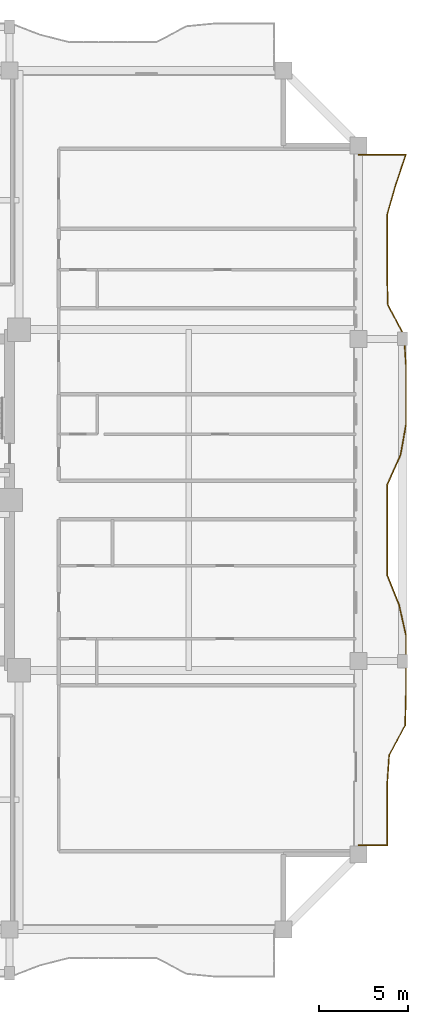
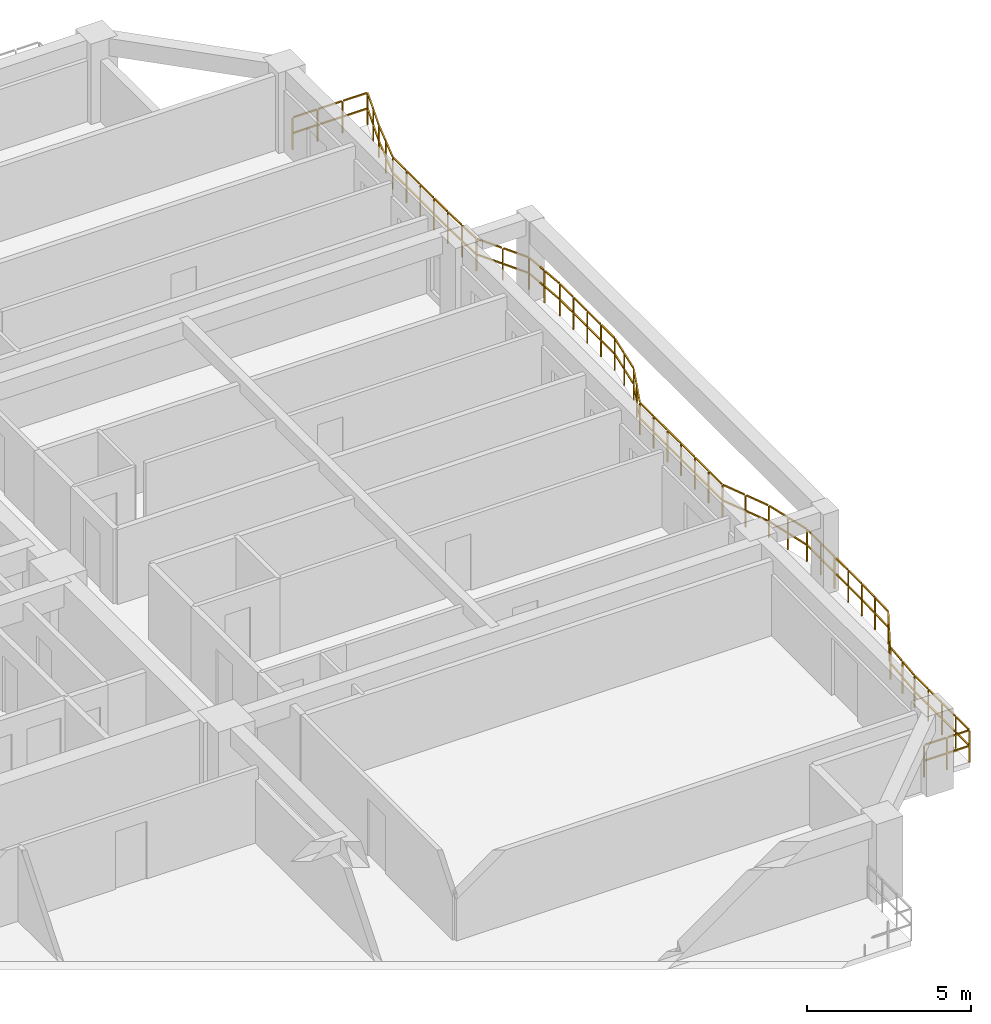
# One storey, part 12 of 13: 1 railing.
"""IFC4 building model written with IfcOpenShell, lengths in metres."""

from ifc_helpers import new_model, si_unit, direction, frame, origin, origin_2d, place, context, subcontext, project, spatial, rectangle, extrude, material, type_object, element, save


model = new_model("IFC4")

# Units and contexts
model_context = context("Model", 3, precision=1e-05, world=origin(), true_north=direction((0.0, 1.0)))
body_context = subcontext(model_context, "Body", "Model", "MODEL_VIEW")
ifc_project = project(units=[si_unit("LENGTHUNIT", "METRE"), si_unit("AREAUNIT", "SQUARE_METRE"), si_unit("VOLUMEUNIT", "CUBIC_METRE"), si_unit("PLANEANGLEUNIT", "RADIAN"), si_unit("MASSUNIT", "GRAM", prefix="KILO")], contexts=[model_context])

# Site, building, storey
site_placement = place(None, origin())
site = spatial("IfcSite", under=ifc_project, at=site_placement, CompositionType="ELEMENT")
building_placement = place(site_placement, origin())
building = spatial("IfcBuilding", under=site, at=building_placement, Name="Saelheon Loggia Tower", CompositionType="ELEMENT")
storey_placement = place(building_placement, frame((0.0, 0.0, 129.75)))
storey = spatial("IfcBuildingStorey", under=building, at=storey_placement, Name="L41", CompositionType="ELEMENT", Elevation=129.75)

# Railing
ifc_material = material(Name="Architectural Precast Concrete and Laminated Glass Guard", Category="concrete")
railing_type = type_object("IfcRailingType", Name="Guard_Loggia_RL_LOG", PredefinedType="BALUSTRADE", material=ifc_material)
railing_placement = place(storey_placement, frame((64.0, 7.699951171875, 0.0)))
element("IfcRailing", 1, at=railing_placement, inside=storey, type_object=railing_type, Name="L41 East Loggia Balustrade", PredefinedType="BALUSTRADE", context=body_context, shape_type="SweptSolid", body=[
    extrude(rectangle(XDim=0.048095703125, YDim=0.048095703125, at=origin_2d()), frame((0.033203125, 0.0, 1.19580078125), z_axis=(1.0, 0.0, 0.0), x_axis=(0.0, 1.0, 0.0)), (0.0, 0.0, 1.0), 0.733642578125),
    extrude(rectangle(XDim=0.048095703125, YDim=0.048095703125, at=origin_2d()), frame((0.033203125, 0.0, 0.60986328125), z_axis=(1.0, 0.0, 0.0), x_axis=(0.0, 1.0, 0.0)), (0.0, 0.0, 1.0), 0.733642578125),
    extrude(rectangle(XDim=0.048095703125, YDim=0.048095703125, at=origin_2d()), frame((0.833251953125, 0.0, 1.19580078125), z_axis=(1.0, 0.0, 0.0), x_axis=(0.0, 1.0, 0.0)), (0.0, 0.0, 1.0), 0.733642578125),
    extrude(rectangle(XDim=0.048095703125, YDim=0.048095703125, at=origin_2d()), frame((0.833251953125, 0.0, 0.60986328125), z_axis=(1.0, 0.0, 0.0), x_axis=(0.0, 1.0, 0.0)), (0.0, 0.0, 1.0), 0.733642578125),
    extrude(rectangle(XDim=0.048095703125, YDim=0.048095703125, at=origin_2d()), frame((1.60009765625, 0.033203125, 1.19580078125), z_axis=(0.0, 1.0, 0.0), x_axis=(-1.0, 0.0, 0.0)), (0.0, 0.0, 1.0), 0.772705078125),
    extrude(rectangle(XDim=0.048095703125, YDim=0.048095703125, at=origin_2d()), frame((1.60009765625, 0.033203125, 0.60986328125), z_axis=(0.0, 1.0, 0.0), x_axis=(-1.0, 0.0, 0.0)), (0.0, 0.0, 1.0), 0.772705078125),
    extrude(rectangle(XDim=0.048095703125, YDim=0.048095703125, at=origin_2d()), frame((1.60009765625, 0.87255859375, 1.19580078125), z_axis=(0.0, 1.0, 0.0), x_axis=(-1.0, 0.0, 0.0)), (0.0, 0.0, 1.0), 0.772705078125),
    extrude(rectangle(XDim=0.048095703125, YDim=0.048095703125, at=origin_2d()), frame((1.60009765625, 0.87255859375, 0.60986328125), z_axis=(0.0, 1.0, 0.0), x_axis=(-1.0, 0.0, 0.0)), (0.0, 0.0, 1.0), 0.772705078125),
    extrude(rectangle(XDim=0.048095703125, YDim=0.048095703125, at=origin_2d()), frame((1.60009765625, 1.711669921875, 1.19580078125), z_axis=(0.0, 1.0, 0.0), x_axis=(-1.0, 0.0, 0.0)), (0.0, 0.0, 1.0), 0.7724609375),
    extrude(rectangle(XDim=0.048095703125, YDim=0.048095703125, at=origin_2d()), frame((1.60009765625, 1.711669921875, 0.60986328125), z_axis=(0.0, 1.0, 0.0), x_axis=(-1.0, 0.0, 0.0)), (0.0, 0.0, 1.0), 0.7724609375),
    extrude(rectangle(XDim=0.048095703125, YDim=0.048095703125, at=origin_2d()), frame((1.60009765625, 2.55078125, 1.19580078125), z_axis=(0.0, 1.0, 0.0), x_axis=(-1.0, 0.0, 0.0)), (0.0, 0.0, 1.0), 0.7724609375),
    extrude(rectangle(XDim=0.048095703125, YDim=0.048095703125, at=origin_2d()), frame((1.60009765625, 2.55078125, 0.60986328125), z_axis=(0.0, 1.0, 0.0), x_axis=(-1.0, 0.0, 0.0)), (0.0, 0.0, 1.0), 0.7724609375),
    extrude(rectangle(XDim=0.048095703125, YDim=0.048095703125, at=origin_2d()), frame((1.602294921875, 3.3896484375, 1.19580078125), z_axis=(0.068059999537, 0.997681229884, 0.0), x_axis=(-0.997681229884, 0.068059999537, 0.0)), (0.0, 0.0, 1.0), 0.774658203125),
    extrude(rectangle(XDim=0.048095703125, YDim=0.048095703125, at=origin_2d()), frame((1.602294921875, 3.3896484375, 0.60986328125), z_axis=(0.068059999537, 0.997681229884, 0.0), x_axis=(-0.997681229884, 0.068059999537, 0.0)), (0.0, 0.0, 1.0), 0.774658203125),
    extrude(rectangle(XDim=0.048095703125, YDim=0.048095703125, at=origin_2d()), frame((1.65966796875, 4.228759765625, 1.19580078125), z_axis=(0.068059999537, 0.997681229884, 0.0), x_axis=(-0.997681229884, 0.068059999537, 0.0)), (0.0, 0.0, 1.0), 0.774658203125),
    extrude(rectangle(XDim=0.048095703125, YDim=0.048095703125, at=origin_2d()), frame((1.65966796875, 4.228759765625, 0.60986328125), z_axis=(0.068059999537, 0.997681229884, 0.0), x_axis=(-0.997681229884, 0.068059999537, 0.0)), (0.0, 0.0, 1.0), 0.774658203125),
    extrude(rectangle(XDim=0.048095703125, YDim=0.048095703125, at=origin_2d()), frame((1.730224609375, 5.064208984375, 1.19580078125), z_axis=(0.4706748388, 0.882306747181, 0.0), x_axis=(-0.882306747181, 0.4706748388, 0.0)), (0.0, 0.0, 1.0), 0.884521484375),
    extrude(rectangle(XDim=0.048095703125, YDim=0.048095703125, at=origin_2d()), frame((1.730224609375, 5.064208984375, 0.60986328125), z_axis=(0.4706748388, 0.882306747181, 0.0), x_axis=(-0.882306747181, 0.4706748388, 0.0)), (0.0, 0.0, 1.0), 0.884521484375),
    extrude(rectangle(XDim=0.048095703125, YDim=0.048095703125, at=origin_2d()), frame((2.177978515625, 5.9033203125, 1.19580078125), z_axis=(0.4706748388, 0.882306747181, 0.0), x_axis=(-0.882306747181, 0.4706748388, 0.0)), (0.0, 0.0, 1.0), 0.884521484375),
    extrude(rectangle(XDim=0.048095703125, YDim=0.048095703125, at=origin_2d()), frame((2.177978515625, 5.9033203125, 0.60986328125), z_axis=(0.4706748388, 0.882306747181, 0.0), x_axis=(-0.882306747181, 0.4706748388, 0.0)), (0.0, 0.0, 1.0), 0.884521484375),
    extrude(rectangle(XDim=0.048095703125, YDim=0.048095703125, at=origin_2d()), frame((2.610595703125, 6.746337890625, 1.19580078125), z_axis=(0.023851228559, 0.999715518983, 0.0), x_axis=(-0.999715518983, 0.023851228559, 0.0)), (0.0, 0.0, 1.0), 0.77294921875),
    extrude(rectangle(XDim=0.048095703125, YDim=0.048095703125, at=origin_2d()), frame((2.610595703125, 6.746337890625, 0.60986328125), z_axis=(0.023851228559, 0.999715518983, 0.0), x_axis=(-0.999715518983, 0.023851228559, 0.0)), (0.0, 0.0, 1.0), 0.77294921875),
    extrude(rectangle(XDim=0.048095703125, YDim=0.048095703125, at=origin_2d()), frame((2.630615234375, 7.58544921875, 1.19580078125), z_axis=(0.023851228559, 0.999715518983, 0.0), x_axis=(-0.999715518983, 0.023851228559, 0.0)), (0.0, 0.0, 1.0), 0.77294921875),
    extrude(rectangle(XDim=0.048095703125, YDim=0.048095703125, at=origin_2d()), frame((2.630615234375, 7.58544921875, 0.60986328125), z_axis=(0.023851228559, 0.999715518983, 0.0), x_axis=(-0.999715518983, 0.023851228559, 0.0)), (0.0, 0.0, 1.0), 0.77294921875),
    extrude(rectangle(XDim=0.048095703125, YDim=0.048095703125, at=origin_2d()), frame((2.64990234375, 8.424560546875, 1.19580078125), z_axis=(0.0, 1.0, 0.0), x_axis=(-1.0, 0.0, 0.0)), (0.0, 0.0, 1.0), 0.772705078125),
    extrude(rectangle(XDim=0.048095703125, YDim=0.048095703125, at=origin_2d()), frame((2.64990234375, 8.424560546875, 0.60986328125), z_axis=(0.0, 1.0, 0.0), x_axis=(-1.0, 0.0, 0.0)), (0.0, 0.0, 1.0), 0.772705078125),
    extrude(rectangle(XDim=0.048095703125, YDim=0.048095703125, at=origin_2d()), frame((2.64990234375, 9.263671875, 1.19580078125), z_axis=(0.0, 1.0, 0.0), x_axis=(-1.0, 0.0, 0.0)), (0.0, 0.0, 1.0), 0.772705078125),
    extrude(rectangle(XDim=0.048095703125, YDim=0.048095703125, at=origin_2d()), frame((2.64990234375, 9.263671875, 0.60986328125), z_axis=(0.0, 1.0, 0.0), x_axis=(-1.0, 0.0, 0.0)), (0.0, 0.0, 1.0), 0.772705078125),
    extrude(rectangle(XDim=0.048095703125, YDim=0.048095703125, at=origin_2d()), frame((2.64990234375, 10.102783203125, 1.19580078125), z_axis=(0.0, 1.0, 0.0), x_axis=(-1.0, 0.0, 0.0)), (0.0, 0.0, 1.0), 0.772705078125),
    extrude(rectangle(XDim=0.048095703125, YDim=0.048095703125, at=origin_2d()), frame((2.64990234375, 10.102783203125, 0.60986328125), z_axis=(0.0, 1.0, 0.0), x_axis=(-1.0, 0.0, 0.0)), (0.0, 0.0, 1.0), 0.772705078125),
    extrude(rectangle(XDim=0.048095703125, YDim=0.048095703125, at=origin_2d()), frame((2.64990234375, 10.94189453125, 1.19580078125), z_axis=(0.0, 1.0, 0.0), x_axis=(-1.0, 0.0, 0.0)), (0.0, 0.0, 1.0), 0.772705078125),
    extrude(rectangle(XDim=0.048095703125, YDim=0.048095703125, at=origin_2d()), frame((2.64990234375, 10.94189453125, 0.60986328125), z_axis=(0.0, 1.0, 0.0), x_axis=(-1.0, 0.0, 0.0)), (0.0, 0.0, 1.0), 0.772705078125),
    extrude(rectangle(XDim=0.048095703125, YDim=0.048095703125, at=origin_2d()), frame((2.642578125, 11.7802734375, 1.19580078125), z_axis=(-0.219934224099, 0.975514703667, 0.0), x_axis=(-0.975514703667, -0.219934224099, 0.0)), (0.0, 0.0, 1.0), 0.7939453125),
    extrude(rectangle(XDim=0.048095703125, YDim=0.048095703125, at=origin_2d()), frame((2.642578125, 11.7802734375, 0.60986328125), z_axis=(-0.219934224099, 0.975514703667, 0.0), x_axis=(-0.975514703667, -0.219934224099, 0.0)), (0.0, 0.0, 1.0), 0.7939453125),
    extrude(rectangle(XDim=0.048095703125, YDim=0.048095703125, at=origin_2d()), frame((2.453369140625, 12.619384765625, 1.19580078125), z_axis=(-0.219934224099, 0.975514703667, 0.0), x_axis=(-0.975514703667, -0.219934224099, 0.0)), (0.0, 0.0, 1.0), 0.7939453125),
    extrude(rectangle(XDim=0.048095703125, YDim=0.048095703125, at=origin_2d()), frame((2.453369140625, 12.619384765625, 0.60986328125), z_axis=(-0.219934224099, 0.975514703667, 0.0), x_axis=(-0.975514703667, -0.219934224099, 0.0)), (0.0, 0.0, 1.0), 0.7939453125),
    extrude(rectangle(XDim=0.048095703125, YDim=0.048095703125, at=origin_2d()), frame((2.259033203125, 13.45703125, 1.19580078125), z_axis=(-0.371483836575, 0.928439421375, 0.0), x_axis=(-0.928439421375, -0.371483836575, 0.0)), (0.0, 0.0, 1.0), 0.837158203125),
    extrude(rectangle(XDim=0.048095703125, YDim=0.048095703125, at=origin_2d()), frame((2.259033203125, 13.45703125, 0.60986328125), z_axis=(-0.371483836575, 0.928439421375, 0.0), x_axis=(-0.928439421375, -0.371483836575, 0.0)), (0.0, 0.0, 1.0), 0.837158203125),
    extrude(rectangle(XDim=0.048095703125, YDim=0.048095703125, at=origin_2d()), frame((1.92333984375, 14.296142578125, 1.19580078125), z_axis=(-0.371483836575, 0.928439421375, 0.0), x_axis=(-0.928439421375, -0.371483836575, 0.0)), (0.0, 0.0, 1.0), 0.837158203125),
    extrude(rectangle(XDim=0.048095703125, YDim=0.048095703125, at=origin_2d()), frame((1.92333984375, 14.296142578125, 0.60986328125), z_axis=(-0.371483836575, 0.928439421375, 0.0), x_axis=(-0.928439421375, -0.371483836575, 0.0)), (0.0, 0.0, 1.0), 0.837158203125),
    extrude(rectangle(XDim=0.048095703125, YDim=0.048095703125, at=origin_2d()), frame((1.60009765625, 15.137451171875, 1.19580078125), z_axis=(0.0, 1.0, 0.0), x_axis=(-1.0, 0.0, 0.0)), (0.0, 0.0, 1.0), 0.772705078125),
    extrude(rectangle(XDim=0.048095703125, YDim=0.048095703125, at=origin_2d()), frame((1.60009765625, 15.137451171875, 0.60986328125), z_axis=(0.0, 1.0, 0.0), x_axis=(-1.0, 0.0, 0.0)), (0.0, 0.0, 1.0), 0.772705078125),
    extrude(rectangle(XDim=0.048095703125, YDim=0.048095703125, at=origin_2d()), frame((1.60009765625, 15.976806640625, 1.19580078125), z_axis=(0.0, 1.0, 0.0), x_axis=(-1.0, 0.0, 0.0)), (0.0, 0.0, 1.0), 0.772705078125),
    extrude(rectangle(XDim=0.048095703125, YDim=0.048095703125, at=origin_2d()), frame((1.60009765625, 15.976806640625, 0.60986328125), z_axis=(0.0, 1.0, 0.0), x_axis=(-1.0, 0.0, 0.0)), (0.0, 0.0, 1.0), 0.772705078125),
    extrude(rectangle(XDim=0.048095703125, YDim=0.048095703125, at=origin_2d()), frame((1.60009765625, 16.81591796875, 1.19580078125), z_axis=(0.0, 1.0, 0.0), x_axis=(-1.0, 0.0, 0.0)), (0.0, 0.0, 1.0), 0.772705078125),
    extrude(rectangle(XDim=0.048095703125, YDim=0.048095703125, at=origin_2d()), frame((1.60009765625, 16.81591796875, 0.60986328125), z_axis=(0.0, 1.0, 0.0), x_axis=(-1.0, 0.0, 0.0)), (0.0, 0.0, 1.0), 0.772705078125),
    extrude(rectangle(XDim=0.048095703125, YDim=0.048095703125, at=origin_2d()), frame((1.60009765625, 17.655029296875, 1.19580078125), z_axis=(0.0, 1.0, 0.0), x_axis=(-1.0, 0.0, 0.0)), (0.0, 0.0, 1.0), 0.772705078125),
    extrude(rectangle(XDim=0.048095703125, YDim=0.048095703125, at=origin_2d()), frame((1.60009765625, 17.655029296875, 0.60986328125), z_axis=(0.0, 1.0, 0.0), x_axis=(-1.0, 0.0, 0.0)), (0.0, 0.0, 1.0), 0.772705078125),
    extrude(rectangle(XDim=0.048095703125, YDim=0.048095703125, at=origin_2d()), frame((1.60009765625, 18.494140625, 1.19580078125), z_axis=(0.0, 1.0, 0.0), x_axis=(-1.0, 0.0, 0.0)), (0.0, 0.0, 1.0), 0.772705078125),
    extrude(rectangle(XDim=0.048095703125, YDim=0.048095703125, at=origin_2d()), frame((1.60009765625, 18.494140625, 0.60986328125), z_axis=(0.0, 1.0, 0.0), x_axis=(-1.0, 0.0, 0.0)), (0.0, 0.0, 1.0), 0.772705078125),
    extrude(rectangle(XDim=0.048095703125, YDim=0.048095703125, at=origin_2d()), frame((1.60009765625, 19.333251953125, 1.19580078125), z_axis=(0.0, 1.0, 0.0), x_axis=(-1.0, 0.0, 0.0)), (0.0, 0.0, 1.0), 0.772705078125),
    extrude(rectangle(XDim=0.048095703125, YDim=0.048095703125, at=origin_2d()), frame((1.60009765625, 19.333251953125, 0.60986328125), z_axis=(0.0, 1.0, 0.0), x_axis=(-1.0, 0.0, 0.0)), (0.0, 0.0, 1.0), 0.772705078125),
    extrude(rectangle(XDim=0.048095703125, YDim=0.048095703125, at=origin_2d()), frame((1.613525390625, 20.16943359375, 1.19580078125), z_axis=(0.407567762137, 0.913174966404, 0.0), x_axis=(-0.913174966404, 0.407567762137, 0.0)), (0.0, 0.0, 1.0), 0.8525390625),
    extrude(rectangle(XDim=0.048095703125, YDim=0.048095703125, at=origin_2d()), frame((1.613525390625, 20.16943359375, 0.60986328125), z_axis=(0.407567762137, 0.913174966404, 0.0), x_axis=(-0.913174966404, 0.407567762137, 0.0)), (0.0, 0.0, 1.0), 0.8525390625),
    extrude(rectangle(XDim=0.048095703125, YDim=0.048095703125, at=origin_2d()), frame((1.988037109375, 21.008544921875, 1.19580078125), z_axis=(0.407567762137, 0.913174966404, 0.0), x_axis=(-0.913174966404, 0.407567762137, 0.0)), (0.0, 0.0, 1.0), 0.8525390625),
    extrude(rectangle(XDim=0.048095703125, YDim=0.048095703125, at=origin_2d()), frame((1.988037109375, 21.008544921875, 0.60986328125), z_axis=(0.407567762137, 0.913174966404, 0.0), x_axis=(-0.913174966404, 0.407567762137, 0.0)), (0.0, 0.0, 1.0), 0.8525390625),
    extrude(rectangle(XDim=0.048095703125, YDim=0.048095703125, at=origin_2d()), frame((2.35498046875, 21.85009765625, 1.19580078125), z_axis=(0.176390201741, 0.984320322217, 0.0), x_axis=(-0.984320322217, 0.176390201741, 0.0)), (0.0, 0.0, 1.0), 0.7861328125),
    extrude(rectangle(XDim=0.048095703125, YDim=0.048095703125, at=origin_2d()), frame((2.35498046875, 21.85009765625, 0.60986328125), z_axis=(0.176390201741, 0.984320322217, 0.0), x_axis=(-0.984320322217, 0.176390201741, 0.0)), (0.0, 0.0, 1.0), 0.7861328125),
    extrude(rectangle(XDim=0.048095703125, YDim=0.048095703125, at=origin_2d()), frame((2.50537109375, 22.689208984375, 1.19580078125), z_axis=(0.176390201741, 0.984320322217, 0.0), x_axis=(-0.984320322217, 0.176390201741, 0.0)), (0.0, 0.0, 1.0), 0.7861328125),
    extrude(rectangle(XDim=0.048095703125, YDim=0.048095703125, at=origin_2d()), frame((2.50537109375, 22.689208984375, 0.60986328125), z_axis=(0.176390201741, 0.984320322217, 0.0), x_axis=(-0.984320322217, 0.176390201741, 0.0)), (0.0, 0.0, 1.0), 0.7861328125),
    extrude(rectangle(XDim=0.048095703125, YDim=0.048095703125, at=origin_2d()), frame((2.64990234375, 23.529052734375, 1.19580078125), z_axis=(0.0, 1.0, 0.0), x_axis=(-1.0, 0.0, 0.0)), (0.0, 0.0, 1.0), 0.7724609375),
    extrude(rectangle(XDim=0.048095703125, YDim=0.048095703125, at=origin_2d()), frame((2.64990234375, 23.529052734375, 0.60986328125), z_axis=(0.0, 1.0, 0.0), x_axis=(-1.0, 0.0, 0.0)), (0.0, 0.0, 1.0), 0.7724609375),
    extrude(rectangle(XDim=0.048095703125, YDim=0.048095703125, at=origin_2d()), frame((2.64990234375, 24.3681640625, 1.19580078125), z_axis=(0.0, 1.0, 0.0), x_axis=(-1.0, 0.0, 0.0)), (0.0, 0.0, 1.0), 0.7724609375),
    extrude(rectangle(XDim=0.048095703125, YDim=0.048095703125, at=origin_2d()), frame((2.64990234375, 24.3681640625, 0.60986328125), z_axis=(0.0, 1.0, 0.0), x_axis=(-1.0, 0.0, 0.0)), (0.0, 0.0, 1.0), 0.7724609375),
    extrude(rectangle(XDim=0.048095703125, YDim=0.048095703125, at=origin_2d()), frame((2.64990234375, 25.20703125, 1.19580078125), z_axis=(0.0, 1.0, 0.0), x_axis=(-1.0, 0.0, 0.0)), (0.0, 0.0, 1.0), 0.772705078125),
    extrude(rectangle(XDim=0.048095703125, YDim=0.048095703125, at=origin_2d()), frame((2.64990234375, 25.20703125, 0.60986328125), z_axis=(0.0, 1.0, 0.0), x_axis=(-1.0, 0.0, 0.0)), (0.0, 0.0, 1.0), 0.772705078125),
    extrude(rectangle(XDim=0.048095703125, YDim=0.048095703125, at=origin_2d()), frame((2.64990234375, 26.04638671875, 1.19580078125), z_axis=(0.0, 1.0, 0.0), x_axis=(-1.0, 0.0, 0.0)), (0.0, 0.0, 1.0), 0.772705078125),
    extrude(rectangle(XDim=0.048095703125, YDim=0.048095703125, at=origin_2d()), frame((2.64990234375, 26.04638671875, 0.60986328125), z_axis=(0.0, 1.0, 0.0), x_axis=(-1.0, 0.0, 0.0)), (0.0, 0.0, 1.0), 0.772705078125),
    extrude(rectangle(XDim=0.048095703125, YDim=0.048095703125, at=origin_2d()), frame((2.647705078125, 26.885498046875, 1.19580078125), z_axis=(-0.06778091462, 0.997700229334, 0.0), x_axis=(-0.997700229334, -0.06778091462, 0.0)), (0.0, 0.0, 1.0), 0.774658203125),
    extrude(rectangle(XDim=0.048095703125, YDim=0.048095703125, at=origin_2d()), frame((2.647705078125, 26.885498046875, 0.60986328125), z_axis=(-0.06778091462, 0.997700229334, 0.0), x_axis=(-0.997700229334, -0.06778091462, 0.0)), (0.0, 0.0, 1.0), 0.774658203125),
    extrude(rectangle(XDim=0.048095703125, YDim=0.048095703125, at=origin_2d()), frame((2.590576171875, 27.724609375, 1.19580078125), z_axis=(-0.06778091462, 0.997700229334, 0.0), x_axis=(-0.997700229334, -0.06778091462, 0.0)), (0.0, 0.0, 1.0), 0.774658203125),
    extrude(rectangle(XDim=0.048095703125, YDim=0.048095703125, at=origin_2d()), frame((2.590576171875, 27.724609375, 0.60986328125), z_axis=(-0.06778091462, 0.997700229334, 0.0), x_axis=(-0.997700229334, -0.06778091462, 0.0)), (0.0, 0.0, 1.0), 0.774658203125),
    extrude(rectangle(XDim=0.048095703125, YDim=0.048095703125, at=origin_2d()), frame((2.520263671875, 28.559814453125, 1.19580078125), z_axis=(-0.470275016821, 0.882519919636, 0.0), x_axis=(-0.882519919636, -0.470275016821, 0.0)), (0.0, 0.0, 1.0), 0.88427734375),
    extrude(rectangle(XDim=0.048095703125, YDim=0.048095703125, at=origin_2d()), frame((2.520263671875, 28.559814453125, 0.60986328125), z_axis=(-0.470275016821, 0.882519919636, 0.0), x_axis=(-0.882519919636, -0.470275016821, 0.0)), (0.0, 0.0, 1.0), 0.88427734375),
    extrude(rectangle(XDim=0.048095703125, YDim=0.048095703125, at=origin_2d()), frame((2.072998046875, 29.39892578125, 1.19580078125), z_axis=(-0.470275016821, 0.882519919636, 0.0), x_axis=(-0.882519919636, -0.470275016821, 0.0)), (0.0, 0.0, 1.0), 0.88427734375),
    extrude(rectangle(XDim=0.048095703125, YDim=0.048095703125, at=origin_2d()), frame((2.072998046875, 29.39892578125, 0.60986328125), z_axis=(-0.470275016821, 0.882519919636, 0.0), x_axis=(-0.882519919636, -0.470275016821, 0.0)), (0.0, 0.0, 1.0), 0.88427734375),
    extrude(rectangle(XDim=0.048095703125, YDim=0.048095703125, at=origin_2d()), frame((1.640869140625, 30.241943359375, 1.19580078125), z_axis=(-0.024723310515, 0.999694332242, 0.0), x_axis=(-0.999694332242, -0.024723310515, 0.0)), (0.0, 0.0, 1.0), 0.77294921875),
    extrude(rectangle(XDim=0.048095703125, YDim=0.048095703125, at=origin_2d()), frame((1.640869140625, 30.241943359375, 0.60986328125), z_axis=(-0.024723310515, 0.999694332242, 0.0), x_axis=(-0.999694332242, -0.024723310515, 0.0)), (0.0, 0.0, 1.0), 0.77294921875),
    extrude(rectangle(XDim=0.048095703125, YDim=0.048095703125, at=origin_2d()), frame((1.6201171875, 31.0810546875, 1.19580078125), z_axis=(-0.024723310515, 0.999694332242, 0.0), x_axis=(-0.999694332242, -0.024723310515, 0.0)), (0.0, 0.0, 1.0), 0.77294921875),
    extrude(rectangle(XDim=0.048095703125, YDim=0.048095703125, at=origin_2d()), frame((1.6201171875, 31.0810546875, 0.60986328125), z_axis=(-0.024723310515, 0.999694332242, 0.0), x_axis=(-0.999694332242, -0.024723310515, 0.0)), (0.0, 0.0, 1.0), 0.77294921875),
    extrude(rectangle(XDim=0.048095703125, YDim=0.048095703125, at=origin_2d()), frame((1.60009765625, 31.920166015625, 1.19580078125), z_axis=(0.0, 1.0, 0.0), x_axis=(-1.0, 0.0, 0.0)), (0.0, 0.0, 1.0), 0.772705078125),
    extrude(rectangle(XDim=0.048095703125, YDim=0.048095703125, at=origin_2d()), frame((1.60009765625, 31.920166015625, 0.60986328125), z_axis=(0.0, 1.0, 0.0), x_axis=(-1.0, 0.0, 0.0)), (0.0, 0.0, 1.0), 0.772705078125),
    extrude(rectangle(XDim=0.048095703125, YDim=0.048095703125, at=origin_2d()), frame((1.60009765625, 32.75927734375, 1.19580078125), z_axis=(0.0, 1.0, 0.0), x_axis=(-1.0, 0.0, 0.0)), (0.0, 0.0, 1.0), 0.772705078125),
    extrude(rectangle(XDim=0.048095703125, YDim=0.048095703125, at=origin_2d()), frame((1.60009765625, 32.75927734375, 0.60986328125), z_axis=(0.0, 1.0, 0.0), x_axis=(-1.0, 0.0, 0.0)), (0.0, 0.0, 1.0), 0.772705078125),
    extrude(rectangle(XDim=0.048095703125, YDim=0.048095703125, at=origin_2d()), frame((1.60009765625, 33.598388671875, 1.19580078125), z_axis=(0.0, 1.0, 0.0), x_axis=(-1.0, 0.0, 0.0)), (0.0, 0.0, 1.0), 0.772705078125),
    extrude(rectangle(XDim=0.048095703125, YDim=0.048095703125, at=origin_2d()), frame((1.60009765625, 33.598388671875, 0.60986328125), z_axis=(0.0, 1.0, 0.0), x_axis=(-1.0, 0.0, 0.0)), (0.0, 0.0, 1.0), 0.772705078125),
    extrude(rectangle(XDim=0.048095703125, YDim=0.048095703125, at=origin_2d()), frame((1.60009765625, 34.437744140625, 1.19580078125), z_axis=(0.0, 1.0, 0.0), x_axis=(-1.0, 0.0, 0.0)), (0.0, 0.0, 1.0), 0.772705078125),
    extrude(rectangle(XDim=0.048095703125, YDim=0.048095703125, at=origin_2d()), frame((1.60009765625, 34.437744140625, 0.60986328125), z_axis=(0.0, 1.0, 0.0), x_axis=(-1.0, 0.0, 0.0)), (0.0, 0.0, 1.0), 0.772705078125),
    extrude(rectangle(XDim=0.048095703125, YDim=0.048095703125, at=origin_2d()), frame((1.609130859375, 35.275634765625, 1.19580078125), z_axis=(0.275146022747, 0.961402447556, 0.0), x_axis=(-0.961402447556, 0.275146022747, 0.0)), (0.0, 0.0, 1.0), 0.80615234375),
    extrude(rectangle(XDim=0.048095703125, YDim=0.048095703125, at=origin_2d()), frame((1.609130859375, 35.275634765625, 0.60986328125), z_axis=(0.275146022747, 0.961402447556, 0.0), x_axis=(-0.961402447556, 0.275146022747, 0.0)), (0.0, 0.0, 1.0), 0.80615234375),
    extrude(rectangle(XDim=0.048095703125, YDim=0.048095703125, at=origin_2d()), frame((1.849365234375, 36.114501953125, 1.19580078125), z_axis=(0.275146022747, 0.961402447556, 0.0), x_axis=(-0.961402447556, 0.275146022747, 0.0)), (0.0, 0.0, 1.0), 0.80615234375),
    extrude(rectangle(XDim=0.048095703125, YDim=0.048095703125, at=origin_2d()), frame((1.849365234375, 36.114501953125, 0.60986328125), z_axis=(0.275146022747, 0.961402447556, 0.0), x_axis=(-0.961402447556, 0.275146022747, 0.0)), (0.0, 0.0, 1.0), 0.80615234375),
    extrude(rectangle(XDim=0.048095703125, YDim=0.048095703125, at=origin_2d()), frame((2.091064453125, 36.953125, 1.19580078125), z_axis=(0.321347076039, 0.946961486398, 0.0), x_axis=(-0.946961486398, 0.321347076039, 0.0)), (0.0, 0.0, 1.0), 0.81982421875),
    extrude(rectangle(XDim=0.048095703125, YDim=0.048095703125, at=origin_2d()), frame((2.091064453125, 36.953125, 0.60986328125), z_axis=(0.321347076039, 0.946961486398, 0.0), x_axis=(-0.946961486398, 0.321347076039, 0.0)), (0.0, 0.0, 1.0), 0.81982421875),
    extrude(rectangle(XDim=0.048095703125, YDim=0.048095703125, at=origin_2d()), frame((2.375732421875, 37.792236328125, 1.19580078125), z_axis=(0.321347076039, 0.946961486398, 0.0), x_axis=(-0.946961486398, 0.321347076039, 0.0)), (0.0, 0.0, 1.0), 0.81982421875),
    extrude(rectangle(XDim=0.048095703125, YDim=0.048095703125, at=origin_2d()), frame((2.375732421875, 37.792236328125, 0.60986328125), z_axis=(0.321347076039, 0.946961486398, 0.0), x_axis=(-0.946961486398, 0.321347076039, 0.0)), (0.0, 0.0, 1.0), 0.81982421875),
    extrude(rectangle(XDim=0.048095703125, YDim=0.048095703125, at=origin_2d()), frame((2.61669921875, 38.60009765625, 1.19580078125), z_axis=(-1.0, 0.0, 0.0), x_axis=(0.0, -1.0, 0.0)), (0.0, 0.0, 1.0), 0.81689453125),
    extrude(rectangle(XDim=0.048095703125, YDim=0.048095703125, at=origin_2d()), frame((2.61669921875, 38.60009765625, 0.60986328125), z_axis=(-1.0, 0.0, 0.0), x_axis=(0.0, -1.0, 0.0)), (0.0, 0.0, 1.0), 0.81689453125),
    extrude(rectangle(XDim=0.048095703125, YDim=0.048095703125, at=origin_2d()), frame((1.7333984375, 38.60009765625, 1.19580078125), z_axis=(-1.0, 0.0, 0.0), x_axis=(0.0, -1.0, 0.0)), (0.0, 0.0, 1.0), 0.81689453125),
    extrude(rectangle(XDim=0.048095703125, YDim=0.048095703125, at=origin_2d()), frame((1.7333984375, 38.60009765625, 0.60986328125), z_axis=(-1.0, 0.0, 0.0), x_axis=(0.0, -1.0, 0.0)), (0.0, 0.0, 1.0), 0.81689453125),
    extrude(rectangle(XDim=0.048095703125, YDim=0.048095703125, at=origin_2d()), frame((0.85009765625, 38.60009765625, 1.19580078125), z_axis=(-1.0, 0.0, 0.0), x_axis=(0.0, -1.0, 0.0)), (0.0, 0.0, 1.0), 0.81689453125),
    extrude(rectangle(XDim=0.048095703125, YDim=0.048095703125, at=origin_2d()), frame((0.85009765625, 38.60009765625, 0.60986328125), z_axis=(-1.0, 0.0, 0.0), x_axis=(0.0, -1.0, 0.0)), (0.0, 0.0, 1.0), 0.81689453125),
    extrude(rectangle(XDim=0.0419921875, YDim=0.0419921875, at=origin_2d()), origin(), (0.0, 0.0, 1.0), 1.16796875),
    extrude(rectangle(XDim=0.0419921875, YDim=0.0419921875, at=origin_2d()), frame((0.800048828125, 0.0, 0.0)), (0.0, 0.0, 1.0), 1.16796875),
    extrude(rectangle(XDim=0.0419921875, YDim=0.0419921875, at=origin_2d()), frame((1.60009765625, 0.0, 0.0)), (0.0, 0.0, 1.0), 1.16796875),
    extrude(rectangle(XDim=0.0419921875, YDim=0.0419921875, at=origin_2d()), frame((1.60009765625, 0.83935546875, 0.0)), (0.0, 0.0, 1.0), 1.16796875),
    extrude(rectangle(XDim=0.0419921875, YDim=0.0419921875, at=origin_2d()), frame((1.60009765625, 1.678466796875, 0.0)), (0.0, 0.0, 1.0), 1.16796875),
    extrude(rectangle(XDim=0.0419921875, YDim=0.0419921875, at=origin_2d()), frame((1.60009765625, 2.517578125, 0.0)), (0.0, 0.0, 1.0), 1.16796875),
    extrude(rectangle(XDim=0.0419921875, YDim=0.0419921875, at=origin_2d()), frame((1.60009765625, 3.3564453125, 0.0)), (0.0, 0.0, 1.0), 1.16796875),
    extrude(rectangle(XDim=0.0419921875, YDim=0.0419921875, at=origin_2d()), frame((1.6572265625, 4.19580078125, 0.0)), (0.0, 0.0, 1.0), 1.16796875),
    extrude(rectangle(XDim=0.0419921875, YDim=0.0419921875, at=origin_2d()), frame((1.714599609375, 5.034912109375, 0.0)), (0.0, 0.0, 1.0), 1.16796875),
    extrude(rectangle(XDim=0.0419921875, YDim=0.0419921875, at=origin_2d()), frame((2.162109375, 5.8740234375, 0.0)), (0.0, 0.0, 1.0), 1.16796875),
    extrude(rectangle(XDim=0.0419921875, YDim=0.0419921875, at=origin_2d()), frame((2.60986328125, 6.713134765625, 0.0)), (0.0, 0.0, 1.0), 1.16796875),
    extrude(rectangle(XDim=0.0419921875, YDim=0.0419921875, at=origin_2d()), frame((2.6298828125, 7.55224609375, 0.0)), (0.0, 0.0, 1.0), 1.16796875),
    extrude(rectangle(XDim=0.0419921875, YDim=0.0419921875, at=origin_2d()), frame((2.64990234375, 8.391357421875, 0.0)), (0.0, 0.0, 1.0), 1.16796875),
    extrude(rectangle(XDim=0.0419921875, YDim=0.0419921875, at=origin_2d()), frame((2.64990234375, 9.23046875, 0.0)), (0.0, 0.0, 1.0), 1.16796875),
    extrude(rectangle(XDim=0.0419921875, YDim=0.0419921875, at=origin_2d()), frame((2.64990234375, 10.069580078125, 0.0)), (0.0, 0.0, 1.0), 1.16796875),
    extrude(rectangle(XDim=0.0419921875, YDim=0.0419921875, at=origin_2d()), frame((2.64990234375, 10.90869140625, 0.0)), (0.0, 0.0, 1.0), 1.16796875),
    extrude(rectangle(XDim=0.0419921875, YDim=0.0419921875, at=origin_2d()), frame((2.64990234375, 11.747802734375, 0.0)), (0.0, 0.0, 1.0), 1.16796875),
    extrude(rectangle(XDim=0.0419921875, YDim=0.0419921875, at=origin_2d()), frame((2.460693359375, 12.5869140625, 0.0)), (0.0, 0.0, 1.0), 1.16796875),
    extrude(rectangle(XDim=0.0419921875, YDim=0.0419921875, at=origin_2d()), frame((2.271484375, 13.42626953125, 0.0)), (0.0, 0.0, 1.0), 1.16796875),
    extrude(rectangle(XDim=0.0419921875, YDim=0.0419921875, at=origin_2d()), frame((1.935791015625, 14.26513671875, 0.0)), (0.0, 0.0, 1.0), 1.16796875),
    extrude(rectangle(XDim=0.0419921875, YDim=0.0419921875, at=origin_2d()), frame((1.60009765625, 15.104248046875, 0.0)), (0.0, 0.0, 1.0), 1.16796875),
    extrude(rectangle(XDim=0.0419921875, YDim=0.0419921875, at=origin_2d()), frame((1.60009765625, 15.943359375, 0.0)), (0.0, 0.0, 1.0), 1.16796875),
    extrude(rectangle(XDim=0.0419921875, YDim=0.0419921875, at=origin_2d()), frame((1.60009765625, 16.78271484375, 0.0)), (0.0, 0.0, 1.0), 1.16796875),
    extrude(rectangle(XDim=0.0419921875, YDim=0.0419921875, at=origin_2d()), frame((1.60009765625, 17.621826171875, 0.0)), (0.0, 0.0, 1.0), 1.16796875),
    extrude(rectangle(XDim=0.0419921875, YDim=0.0419921875, at=origin_2d()), frame((1.60009765625, 18.4609375, 0.0)), (0.0, 0.0, 1.0), 1.16796875),
    extrude(rectangle(XDim=0.0419921875, YDim=0.0419921875, at=origin_2d()), frame((1.60009765625, 19.300048828125, 0.0)), (0.0, 0.0, 1.0), 1.16796875),
    extrude(rectangle(XDim=0.0419921875, YDim=0.0419921875, at=origin_2d()), frame((1.60009765625, 20.13916015625, 0.0)), (0.0, 0.0, 1.0), 1.16796875),
    extrude(rectangle(XDim=0.0419921875, YDim=0.0419921875, at=origin_2d()), frame((1.974609375, 20.978271484375, 0.0)), (0.0, 0.0, 1.0), 1.16796875),
    extrude(rectangle(XDim=0.0419921875, YDim=0.0419921875, at=origin_2d()), frame((2.34912109375, 21.8173828125, 0.0)), (0.0, 0.0, 1.0), 1.16796875),
    extrude(rectangle(XDim=0.0419921875, YDim=0.0419921875, at=origin_2d()), frame((2.49951171875, 22.65673828125, 0.0)), (0.0, 0.0, 1.0), 1.16796875),
    extrude(rectangle(XDim=0.0419921875, YDim=0.0419921875, at=origin_2d()), frame((2.64990234375, 23.495849609375, 0.0)), (0.0, 0.0, 1.0), 1.16796875),
    extrude(rectangle(XDim=0.0419921875, YDim=0.0419921875, at=origin_2d()), frame((2.64990234375, 24.3349609375, 0.0)), (0.0, 0.0, 1.0), 1.16796875),
    extrude(rectangle(XDim=0.0419921875, YDim=0.0419921875, at=origin_2d()), frame((2.64990234375, 25.173828125, 0.0)), (0.0, 0.0, 1.0), 1.16796875),
    extrude(rectangle(XDim=0.0419921875, YDim=0.0419921875, at=origin_2d()), frame((2.64990234375, 26.01318359375, 0.0)), (0.0, 0.0, 1.0), 1.16796875),
    extrude(rectangle(XDim=0.0419921875, YDim=0.0419921875, at=origin_2d()), frame((2.64990234375, 26.852294921875, 0.0)), (0.0, 0.0, 1.0), 1.16796875),
    extrude(rectangle(XDim=0.0419921875, YDim=0.0419921875, at=origin_2d()), frame((2.5927734375, 27.69140625, 0.0)), (0.0, 0.0, 1.0), 1.16796875),
    extrude(rectangle(XDim=0.0419921875, YDim=0.0419921875, at=origin_2d()), frame((2.535888671875, 28.530517578125, 0.0)), (0.0, 0.0, 1.0), 1.16796875),
    extrude(rectangle(XDim=0.0419921875, YDim=0.0419921875, at=origin_2d()), frame((2.0888671875, 29.36962890625, 0.0)), (0.0, 0.0, 1.0), 1.16796875),
    extrude(rectangle(XDim=0.0419921875, YDim=0.0419921875, at=origin_2d()), frame((1.6416015625, 30.208740234375, 0.0)), (0.0, 0.0, 1.0), 1.16796875),
    extrude(rectangle(XDim=0.0419921875, YDim=0.0419921875, at=origin_2d()), frame((1.620849609375, 31.0478515625, 0.0)), (0.0, 0.0, 1.0), 1.16796875),
    extrude(rectangle(XDim=0.0419921875, YDim=0.0419921875, at=origin_2d()), frame((1.60009765625, 31.886962890625, 0.0)), (0.0, 0.0, 1.0), 1.16796875),
    extrude(rectangle(XDim=0.0419921875, YDim=0.0419921875, at=origin_2d()), frame((1.60009765625, 32.72607421875, 0.0)), (0.0, 0.0, 1.0), 1.16796875),
    extrude(rectangle(XDim=0.0419921875, YDim=0.0419921875, at=origin_2d()), frame((1.60009765625, 33.565185546875, 0.0)), (0.0, 0.0, 1.0), 1.16796875),
    extrude(rectangle(XDim=0.0419921875, YDim=0.0419921875, at=origin_2d()), frame((1.60009765625, 34.404296875, 0.0)), (0.0, 0.0, 1.0), 1.16796875),
    extrude(rectangle(XDim=0.0419921875, YDim=0.0419921875, at=origin_2d()), frame((1.60009765625, 35.24365234375, 0.0)), (0.0, 0.0, 1.0), 1.16796875),
    extrude(rectangle(XDim=0.0419921875, YDim=0.0419921875, at=origin_2d()), frame((1.84033203125, 36.08251953125, 0.0)), (0.0, 0.0, 1.0), 1.16796875),
    extrude(rectangle(XDim=0.0419921875, YDim=0.0419921875, at=origin_2d()), frame((2.080322265625, 36.921630859375, 0.0)), (0.0, 0.0, 1.0), 1.16796875),
    extrude(rectangle(XDim=0.0419921875, YDim=0.0419921875, at=origin_2d()), frame((2.365234375, 37.7607421875, 0.0)), (0.0, 0.0, 1.0), 1.16796875),
    extrude(rectangle(XDim=0.0419921875, YDim=0.0419921875, at=origin_2d()), frame((2.64990234375, 38.60009765625, 0.0)), (0.0, 0.0, 1.0), 1.16796875),
    extrude(rectangle(XDim=0.0419921875, YDim=0.0419921875, at=origin_2d()), frame((1.7666015625, 38.60009765625, 0.0)), (0.0, 0.0, 1.0), 1.16796875),
    extrude(rectangle(XDim=0.0419921875, YDim=0.0419921875, at=origin_2d()), frame((0.88330078125, 38.60009765625, 0.0)), (0.0, 0.0, 1.0), 1.16796875),
    extrude(rectangle(XDim=0.0419921875, YDim=0.0419921875, at=origin_2d()), frame((0.0, 38.60009765625, 0.0)), (0.0, 0.0, 1.0), 1.16796875),
])

save(model, "model.ifc")
